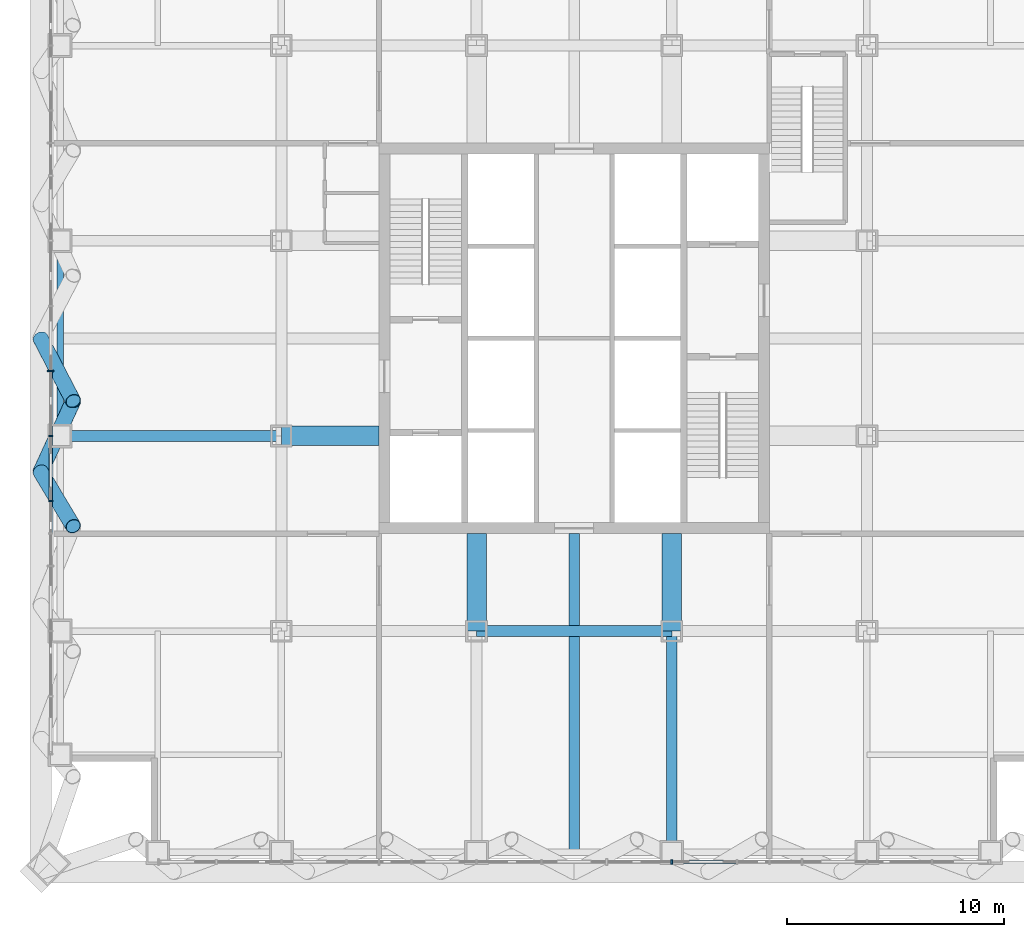
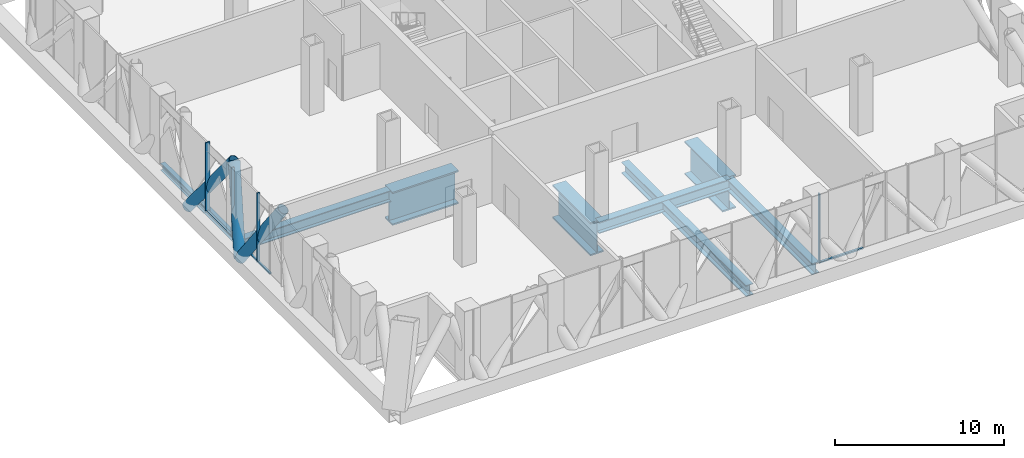
# One storey, part 4 of 29: 11 members, 8 beams, 2 elements without a shape of their own.
"""IFC4 building model written with IfcOpenShell, lengths in metres."""

from ifc_helpers import new_model, si_unit, direction, frame, origin, origin_2d, place, context, subcontext, project, spatial, rectangle, hollow_circle, i_section, extrude, material, layer, layer_set, material_profile, profile_set, type_object, element, aggregate, save


model = new_model("IFC4")

# Units and contexts
model_context = context("Model", 3, precision=1e-05, world=origin(), true_north=direction((0.0, 1.0)))
body_context = subcontext(model_context, "Body", "Model", "MODEL_VIEW")
ifc_project = project(units=[si_unit("LENGTHUNIT", "METRE"), si_unit("AREAUNIT", "SQUARE_METRE"), si_unit("VOLUMEUNIT", "CUBIC_METRE"), si_unit("PLANEANGLEUNIT", "RADIAN"), si_unit("MASSUNIT", "GRAM", prefix="KILO")], contexts=[model_context])

# Site, building, storey
site_placement = place(None, origin())
site = spatial("IfcSite", under=ifc_project, at=site_placement, CompositionType="ELEMENT")
building_placement = place(site_placement, origin())
building = spatial("IfcBuilding", under=site, at=building_placement, Name="Malebo Sky Hospital", CompositionType="ELEMENT")
storey_placement = place(building_placement, frame((0.0, 0.0, 172.0)))
storey = spatial("IfcBuildingStorey", under=building, at=storey_placement, Name="L41", CompositionType="ELEMENT", Elevation=172.0)

# Curtain wall, members
ifc_material_1 = material(Name="Anodised aluminium, natural silver", Category="aluminium")
ifc_layer = layer(ifc_material_1, 0.25)
ifc_layer_set = layer_set([ifc_layer], Name="PLANT LOUVRE SCREEN")
curtain_wall_type = type_object("IfcCurtainWallType", Name="PLANT LOUVRE SCREEN", PredefinedType="NOTDEFINED", material=ifc_layer_set)
curtain_wall_1_placement = place(storey_placement, origin())
curtain_wall_1 = element("IfcCurtainWall", 1, at=curtain_wall_1_placement, inside=storey, type_object=curtain_wall_type, Name="PLANT curtain wall W", PredefinedType="NOTDEFINED")
ifc_material_profile_1 = material_profile(ifc_material_1, rectangle(XDim=0.14990234375, YDim=0.10009765625, at=origin_2d()), Name="ALUMINIUM TRANSOM 150x100")
ifc_profile_set_1 = profile_set([ifc_material_profile_1], Name="Anodised aluminium, natural silver")
member_type_1 = type_object("IfcMemberType", Name="ALUMINIUM TRANSOM 150x100", PredefinedType="USERDEFINED", material=ifc_profile_set_1)
member_1_placement = place(storey_placement, frame((35.864990234375, 53.03759765625, 0.050048828125), z_axis=(0.0, 1.0, 0.0), x_axis=(-1.0, 0.0, 0.0)))
member_1 = element("IfcMember", 2, at=member_1_placement, type_object=member_type_1, Name="Transom 5", ObjectType="TRANSOM", PredefinedType="USERDEFINED", context=body_context, shape_type="SweptSolid", body=[
    extrude(rectangle(XDim=0.14990234375, YDim=0.10009765625, at=origin_2d()), origin(), (0.0, 0.0, 1.0), 1.4248046875),
])
member_2_placement = place(storey_placement, frame((35.864990234375, 54.53759765625, 0.050048828125), z_axis=(0.0, 1.0, 0.0), x_axis=(-1.0, 0.0, 0.0)))
member_2 = element("IfcMember", 3, at=member_2_placement, type_object=member_type_1, Name="Transom 6", ObjectType="TRANSOM", PredefinedType="USERDEFINED", context=body_context, shape_type="SweptSolid", body=[
    extrude(rectangle(XDim=0.14990234375, YDim=0.10009765625, at=origin_2d()), origin(), (0.0, 0.0, 1.0), 2.9248046875),
])
member_3_placement = place(storey_placement, frame((35.864990234375, 57.53759765625, 0.050048828125), z_axis=(0.0, 1.0, 0.0), x_axis=(-1.0, 0.0, 0.0)))
member_3 = element("IfcMember", 4, at=member_3_placement, type_object=member_type_1, Name="Transom 7", ObjectType="TRANSOM", PredefinedType="USERDEFINED", context=body_context, shape_type="SweptSolid", body=[
    extrude(rectangle(XDim=0.14990234375, YDim=0.10009765625, at=origin_2d()), origin(), (0.0, 0.0, 1.0), 2.9248046875),
])

# Curtain wall, member
curtain_wall_2_placement = place(storey_placement, origin())
curtain_wall_2 = element("IfcCurtainWall", 5, at=curtain_wall_2_placement, inside=storey, type_object=curtain_wall_type, Name="PLANT curtain wall S", PredefinedType="NOTDEFINED")
member_4_placement = place(storey_placement, frame((67.46240234375, 37.864990234375, 0.050048828125), z_axis=(-1.0, 0.0, 0.0), x_axis=(0.0, -1.0, 0.0)))
member_4 = element("IfcMember", 6, at=member_4_placement, type_object=member_type_1, Name="Transom 6", ObjectType="TRANSOM", PredefinedType="USERDEFINED", context=body_context, shape_type="SweptSolid", body=[
    extrude(rectangle(XDim=0.14990234375, YDim=0.10009765625, at=origin_2d()), origin(), (0.0, 0.0, 1.0), 2.9248046875),
])

# Members
ifc_material_2 = material(Name="Steel S460", Category="steel")
ifc_material_profile_2 = material_profile(ifc_material_2, hollow_circle(Radius=0.35546875, WallThickness=0.02490234375, at=origin_2d()), Name="CHS 711x25")
ifc_profile_set_2 = profile_set([ifc_material_profile_2], Name="Steel S460")
member_type_2 = type_object("IfcMemberType", Name="BELT TRUSS DIAGONAL CHS 711x25", PredefinedType="BRACE", material=ifc_profile_set_2)
member_5_placement = place(storey_placement, frame((35.39990234375, 62.0, -0.39990234375), z_axis=(0.268164746883, -0.516208408429, 0.813398148262), x_axis=(0.887402230287, 0.460995967099, 0.0)))
element("IfcMember", 7, at=member_5_placement, inside=storey, type_object=member_type_2, Name="Belt truss diagonal W5.1 L41", PredefinedType="BRACE", context=body_context, shape_type="SweptSolid", body=[
    extrude(hollow_circle(Radius=0.35546875, WallThickness=0.02490234375, at=origin_2d()), origin(), (0.0, 0.0, 1.0), 5.593505859375),
])
member_6_placement = place(storey_placement, frame((36.89990234375, 59.112548828125, 4.14990234375), z_axis=(-0.258796497336, -0.562873957341, -0.78498234446), x_axis=(0.908567362374, -0.417738372703, 0.0)))
element("IfcMember", 8, at=member_6_placement, inside=storey, type_object=member_type_2, Name="Belt truss diagonal W5.2 L41", PredefinedType="BRACE", context=body_context, shape_type="SweptSolid", body=[
    extrude(hollow_circle(Radius=0.35546875, WallThickness=0.02490234375, at=origin_2d()), origin(), (0.0, 0.0, 1.0), 5.796142578125),
])
member_7_placement = place(storey_placement, frame((35.39990234375, 55.85009765625, -0.39990234375), z_axis=(0.277282039991, -0.464483521417, 0.841052750207), x_axis=(0.858639149191, 0.512580541453, 0.0)))
element("IfcMember", 9, at=member_7_placement, inside=storey, type_object=member_type_2, Name="Belt truss diagonal W6.1 L41", PredefinedType="BRACE", context=body_context, shape_type="SweptSolid", body=[
    extrude(hollow_circle(Radius=0.35546875, WallThickness=0.02490234375, at=origin_2d()), origin(), (0.0, 0.0, 1.0), 5.40966796875),
])

# Member
ifc_material_profile_3 = material_profile(ifc_material_1, rectangle(XDim=0.074951171875, YDim=0.199951171875, at=origin_2d()), Name="CW5 ALUMINIUM FIN MULLION 75x200")
ifc_profile_set_3 = profile_set([ifc_material_profile_3], Name="Anodised aluminium, natural silver")
member_type_3 = type_object("IfcMemberType", Name="CW5 ALUMINIUM FIN MULLION 75x200", PredefinedType="MULLION", material=ifc_profile_set_3)
member_8_placement = place(storey_placement, frame((35.864990234375, 54.5, 0.0), z_axis=(0.0, 0.0, 1.0), x_axis=(0.0, 1.0, 0.0)))
member_8 = element("IfcMember", 10, at=member_8_placement, type_object=member_type_3, Name="Fin mullion 6", PredefinedType="MULLION", context=body_context, shape_type="SweptSolid", body=[
    extrude(rectangle(XDim=0.074951171875, YDim=0.199951171875, at=origin_2d()), origin(), (0.0, 0.0, 1.0), 5.0),
])

member_9_placement = place(storey_placement, frame((35.864990234375, 57.5, 0.0), z_axis=(0.0, 0.0, 1.0), x_axis=(0.0, 1.0, 0.0)))
member_9 = element("IfcMember", 11, at=member_9_placement, type_object=member_type_3, Name="Fin mullion 7", PredefinedType="MULLION", context=body_context, shape_type="SweptSolid", body=[
    extrude(rectangle(XDim=0.074951171875, YDim=0.199951171875, at=origin_2d()), origin(), (0.0, 0.0, 1.0), 5.0),
])

member_10_placement = place(storey_placement, frame((64.5, 37.864990234375, 0.0), z_axis=(0.0, 0.0, 1.0), x_axis=(-1.0, 0.0, 0.0)))
member_10 = element("IfcMember", 12, at=member_10_placement, type_object=member_type_3, Name="Fin mullion 7", PredefinedType="MULLION", context=body_context, shape_type="SweptSolid", body=[
    extrude(rectangle(XDim=0.074951171875, YDim=0.199951171875, at=origin_2d()), origin(), (0.0, 0.0, 1.0), 5.0),
])

aggregate(curtain_wall_2, [member_10, member_4])

ifc_material_profile_4 = material_profile(ifc_material_1, rectangle(XDim=0.074951171875, YDim=0.300048828125, at=origin_2d()), Name="CW5 ALUMINIUM FIN MULLION 75x300")
ifc_profile_set_4 = profile_set([ifc_material_profile_4], Name="Anodised aluminium, natural silver")
member_type_4 = type_object("IfcMemberType", Name="CW5 ALUMINIUM FIN MULLION 75x300", PredefinedType="MULLION", material=ifc_profile_set_4)
member_11_placement = place(storey_placement, frame((35.864990234375, 60.5, 0.0), z_axis=(0.0, 0.0, 1.0), x_axis=(0.0, 1.0, 0.0)))
member_11 = element("IfcMember", 13, at=member_11_placement, type_object=member_type_4, Name="Fin mullion 8", PredefinedType="MULLION", context=body_context, shape_type="SweptSolid", body=[
    extrude(rectangle(XDim=0.074951171875, YDim=0.300048828125, at=origin_2d()), origin(), (0.0, 0.0, 1.0), 5.0),
])

aggregate(curtain_wall_1, [member_8, member_9, member_11, member_1, member_2, member_3])

# Beams
ifc_material_3 = material(Name="Steel S355", Category="steel")
ifc_material_profile_5 = material_profile(ifc_material_3, i_section(OverallWidth=0.305908203125, OverallDepth=0.52392578125, WebThickness=0.02099609375, FlangeThickness=0.0400390625, FilletRadius=0.027099609375, at=origin_2d()), Name="HEM 500")
ifc_profile_set_5 = profile_set([ifc_material_profile_5], Name="Steel S355")
beam_type_1 = type_object("IfcBeamType", Name="EDGE BEAM HEM 500", PredefinedType="BEAM", material=ifc_profile_set_5)
beam_1_placement = place(storey_placement, frame((36.300048828125, 57.5, -0.511962890625), z_axis=(0.0, 1.0, 0.0), x_axis=(-1.0, 0.0, 0.0)))
element("IfcBeam", 14, at=beam_1_placement, inside=storey, type_object=beam_type_1, Name="Beam 002 L41", PredefinedType="BEAM", context=body_context, shape_type="SweptSolid", body=[
    extrude(i_section(OverallWidth=0.305908203125, OverallDepth=0.52392578125, WebThickness=0.02099609375, FlangeThickness=0.0400390625, FilletRadius=0.027099609375, at=origin_2d()), origin(), (0.0, 0.0, 1.0), 9.0),
])
ifc_material_profile_6 = material_profile(ifc_material_3, i_section(OverallWidth=0.89990234375, OverallDepth=2.39990234375, WebThickness=0.050048828125, FlangeThickness=0.10009765625, at=origin_2d()), Name="PG 2400x900x50x100")
ifc_profile_set_6 = profile_set([ifc_material_profile_6], Name="Steel S355")
beam_type_2 = type_object("IfcBeamType", Name="FLOOR BEAM PG 2400x900x50x100", PredefinedType="BEAM", material=ifc_profile_set_6)
for number, where, z_axis, x_axis, name in (
    (15, (55.5, 48.5, -1.449951171875), (0.0, 1.0, 0.0), (-1.0, 0.0, 0.0), "Beam 013 L41"),
    (16, (64.5, 48.5, -1.449951171875), (0.0, 1.0, 0.0), (-1.0, 0.0, 0.0), "Beam 019 L41"),
    (17, (46.5, 57.5, -1.449951171875), (1.0, 0.0, 0.0), (0.0, 1.0, 0.0), "Beam 047 L41"),
):
    element("IfcBeam", number, at=place(storey_placement, frame(where, z_axis=z_axis, x_axis=x_axis)), inside=storey, type_object=beam_type_2, Name=name, PredefinedType="BEAM", context=body_context, shape_type="SweptSolid", body=[
        extrude(i_section(OverallWidth=0.89990234375, OverallDepth=2.39990234375, WebThickness=0.050048828125, FlangeThickness=0.10009765625, at=origin_2d()), origin(), (0.0, 0.0, 1.0), 4.5),
    ])
ifc_material_profile_7 = material_profile(ifc_material_3, i_section(OverallWidth=0.5, OverallDepth=0.800048828125, WebThickness=0.030029296875, FlangeThickness=0.050048828125, at=origin_2d()), Name="PG 800x500x30x50")
ifc_profile_set_7 = profile_set([ifc_material_profile_7], Name="Steel S355")
beam_type_3 = type_object("IfcBeamType", Name="FLOOR BEAM PG 800x500x30x50", PredefinedType="BEAM", material=ifc_profile_set_7)
beam_2_placement = place(storey_placement, frame((60.0, 38.300048828125, -0.64990234375), z_axis=(0.0, 1.0, 0.0), x_axis=(-1.0, 0.0, 0.0)))
element("IfcBeam", 18, at=beam_2_placement, inside=storey, type_object=beam_type_3, Name="Beam 016 L41", PredefinedType="BEAM", context=body_context, shape_type="SweptSolid", body=[
    extrude(i_section(OverallWidth=0.5, OverallDepth=0.800048828125, WebThickness=0.030029296875, FlangeThickness=0.050048828125, at=origin_2d()), origin(), (0.0, 0.0, 1.0), 14.699951171875),
])
for number, where, z_axis, x_axis, name in (
    (19, (64.5, 38.300048828125, -0.64990234375), (0.0, 1.0, 0.0), (-1.0, 0.0, 0.0), "Beam 018 L41"),
    (20, (36.300048828125, 57.5, -0.64990234375), (1.0, 0.0, 0.0), (0.0, 1.0, 0.0), "Beam 046 L41"),
):
    element("IfcBeam", number, at=place(storey_placement, frame(where, z_axis=z_axis, x_axis=x_axis)), inside=storey, type_object=beam_type_3, Name=name, PredefinedType="BEAM", context=body_context, shape_type="SweptSolid", body=[
        extrude(i_section(OverallWidth=0.5, OverallDepth=0.800048828125, WebThickness=0.030029296875, FlangeThickness=0.050048828125, at=origin_2d()), origin(), (0.0, 0.0, 1.0), 10.199951171875),
    ])
ifc_material_profile_8 = material_profile(ifc_material_3, i_section(OverallWidth=0.5, OverallDepth=0.800048828125, WebThickness=0.030029296875, FlangeThickness=0.050048828125, at=origin_2d()), Name="PG 800x500x30x50")
ifc_profile_set_8 = profile_set([ifc_material_profile_8], Name="Steel S355")
beam_type_4 = type_object("IfcBeamType", Name="RING GIRDER PG 800x500x30x50", PredefinedType="BEAM", material=ifc_profile_set_8)
beam_3_placement = place(storey_placement, frame((55.5, 48.5, -0.64990234375), z_axis=(1.0, 0.0, 0.0), x_axis=(0.0, 1.0, 0.0)))
element("IfcBeam", 21, at=beam_3_placement, inside=storey, type_object=beam_type_4, Name="Beam 043 L41", PredefinedType="BEAM", context=body_context, shape_type="SweptSolid", body=[
    extrude(i_section(OverallWidth=0.5, OverallDepth=0.800048828125, WebThickness=0.030029296875, FlangeThickness=0.050048828125, at=origin_2d()), origin(), (0.0, 0.0, 1.0), 9.0),
])

save(model, "model.ifc")
